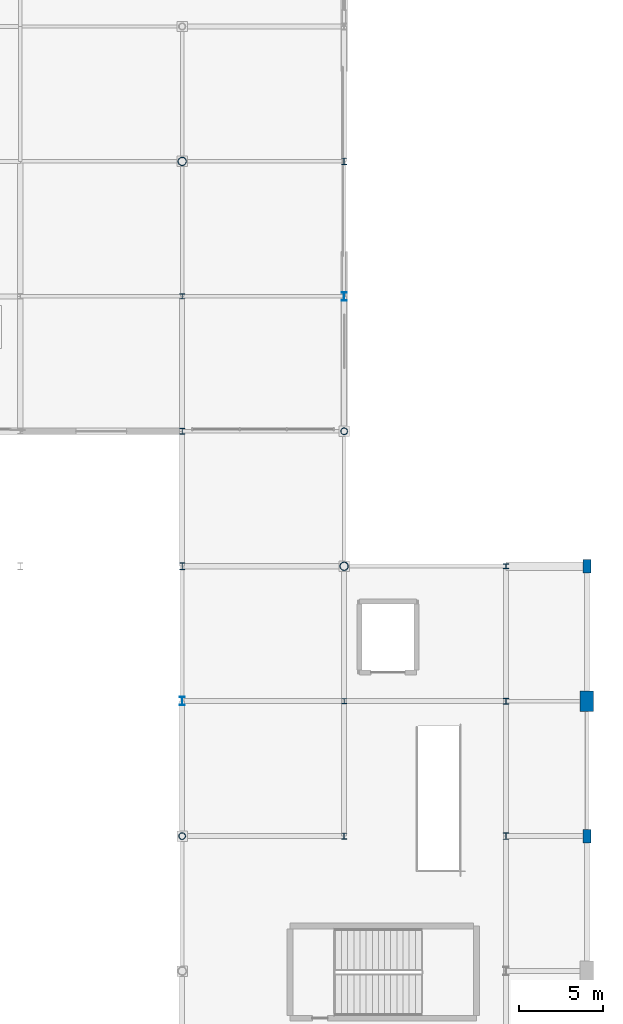
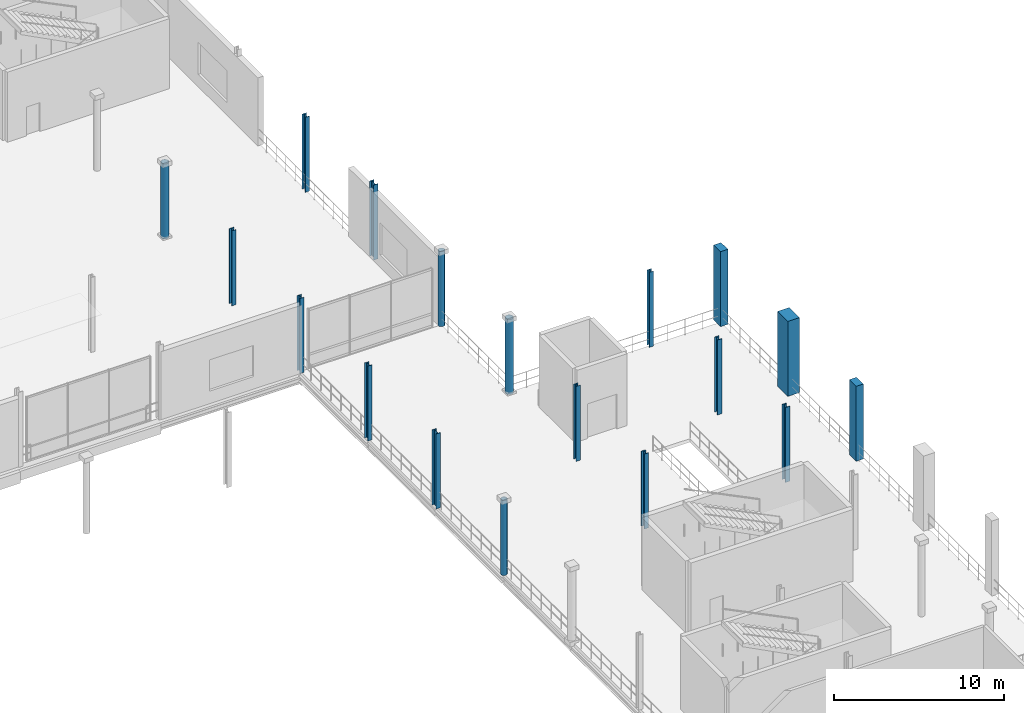
# One storey, part 21 of 129: 18 columns.
"""IFC4 building model written with IfcOpenShell, lengths in metres."""

from ifc_helpers import new_model, si_unit, direction, frame, origin, origin_2d, place, context, subcontext, project, spatial, rectangle, hollow_circle, i_section, extrude, material, material_profile, profile_set, type_object, element, save


model = new_model("IFC4")

# Units and contexts
model_context = context("Model", 3, precision=1e-05, world=origin(), true_north=direction((0.0, 1.0)))
body_context = subcontext(model_context, "Body", "Model", "MODEL_VIEW")
ifc_project = project(units=[si_unit("LENGTHUNIT", "METRE"), si_unit("AREAUNIT", "SQUARE_METRE"), si_unit("VOLUMEUNIT", "CUBIC_METRE"), si_unit("PLANEANGLEUNIT", "RADIAN"), si_unit("MASSUNIT", "GRAM", prefix="KILO")], contexts=[model_context])

# Site, building, storey
site_placement = place(None, origin())
site = spatial("IfcSite", under=ifc_project, at=site_placement, CompositionType="ELEMENT")
building_placement = place(site_placement, origin())
building = spatial("IfcBuilding", under=site, at=building_placement, Name="Danafjord Basin Convention Centre", CompositionType="ELEMENT")
storey_placement = place(building_placement, frame((0.0, 0.0, 6.0)))
storey = spatial("IfcBuildingStorey", under=building, at=storey_placement, Name="L01", CompositionType="ELEMENT", Elevation=6.0)

# Columns
ifc_material_1 = material(Name="Steel S355", Category="steel")
ifc_material_profile_1 = material_profile(ifc_material_1, hollow_circle(Radius=0.203125, WallThickness=0.02001953125, at=origin_2d()), Name="CHS 406.4x20.0")
ifc_profile_set_1 = profile_set([ifc_material_profile_1], Name="Steel S355")
column_type_1 = type_object("IfcColumnType", Name="COL-C-CHS406", PredefinedType="COLUMN", material=ifc_profile_set_1)
for number, where, z_axis, x_axis, name in (
    (1, (192.0, 64.0, 0.0), (0.0, 0.0, 1.0), (1.0, 0.0, 0.0), "L01 column C-CHS406 at (192.0, 64.0)"),
    (2, (201.60009765625, 88.0, 0.0), (0.0, 0.0, 1.0), (1.0, 0.0, 0.0), "L01 column C-CHS406 at (201.6, 88.0)"),
):
    element("IfcColumn", number, at=place(storey_placement, frame(where, z_axis=z_axis, x_axis=x_axis)), inside=storey, type_object=column_type_1, Name=name, PredefinedType="COLUMN", context=body_context, shape_type="SweptSolid", body=[
        extrude(hollow_circle(Radius=0.203125, WallThickness=0.02001953125, at=origin_2d()), origin(), (0.0, 0.0, 1.0), 5.39990234375),
    ])
ifc_material_profile_2 = material_profile(ifc_material_1, hollow_circle(Radius=0.25390625, WallThickness=0.02490234375, at=origin_2d()), Name="CHS 508.0x25.0")
ifc_profile_set_2 = profile_set([ifc_material_profile_2], Name="Steel S355")
column_type_2 = type_object("IfcColumnType", Name="COL-C-CHS508", PredefinedType="COLUMN", material=ifc_profile_set_2)
for number, where, z_axis, x_axis, name in (
    (3, (192.0, 104.0, 0.0), (0.0, 0.0, 1.0), (1.0, 0.0, 0.0), "L01 column C-CHS508 at (192.0, 104.0)"),
    (4, (201.60009765625, 80.0, 0.0), (0.0, 0.0, 1.0), (1.0, 0.0, 0.0), "L01 column C-CHS508 at (201.6, 80.0)"),
):
    element("IfcColumn", number, at=place(storey_placement, frame(where, z_axis=z_axis, x_axis=x_axis)), inside=storey, type_object=column_type_2, Name=name, PredefinedType="COLUMN", context=body_context, shape_type="SweptSolid", body=[
        extrude(hollow_circle(Radius=0.25390625, WallThickness=0.02490234375, at=origin_2d()), origin(), (0.0, 0.0, 1.0), 5.39990234375),
    ])
ifc_material_profile_3 = material_profile(ifc_material_1, i_section(OverallWidth=0.300048828125, OverallDepth=0.300048828125, WebThickness=0.010986328125, FlangeThickness=0.01904296875, FilletRadius=0.027099609375, at=origin_2d()), Name="HEB 300")
ifc_profile_set_3 = profile_set([ifc_material_profile_3], Name="Steel S355")
column_type_3 = type_object("IfcColumnType", Name="COL-C-HEB300", PredefinedType="COLUMN", material=ifc_profile_set_3)
for number, where, z_axis, x_axis, name in (
    (5, (192.0, 96.0, 0.0), (0.0, 0.0, 1.0), (1.0, 0.0, 0.0), "L01 column C-HEB300 at (192.0, 96.0)"),
    (6, (201.60009765625, 72.0, 0.0), (0.0, 0.0, 1.0), (1.0, 0.0, 0.0), "L01 column C-HEB300 at (201.6, 72.0)"),
    (7, (211.199951171875, 80.0, 0.0), (0.0, 0.0, 1.0), (1.0, 0.0, 0.0), "L01 column C-HEB300 at (211.2, 80.0)"),
):
    element("IfcColumn", number, at=place(storey_placement, frame(where, z_axis=z_axis, x_axis=x_axis)), inside=storey, type_object=column_type_3, Name=name, PredefinedType="COLUMN", context=body_context, shape_type="SweptSolid", body=[
        extrude(i_section(OverallWidth=0.300048828125, OverallDepth=0.300048828125, WebThickness=0.010986328125, FlangeThickness=0.01904296875, FilletRadius=0.027099609375, at=origin_2d()), origin(), (0.0, 0.0, 1.0), 5.39990234375),
    ])
ifc_material_profile_4 = material_profile(ifc_material_1, i_section(OverallWidth=0.300048828125, OverallDepth=0.360107421875, WebThickness=0.012451171875, FlangeThickness=0.0224609375, FilletRadius=0.027099609375, at=origin_2d()), Name="HEB 360")
ifc_profile_set_4 = profile_set([ifc_material_profile_4], Name="Steel S355")
column_type_4 = type_object("IfcColumnType", Name="COL-C-HEB360", PredefinedType="COLUMN", material=ifc_profile_set_4)
for number, where, z_axis, x_axis, name in (
    (8, (192.0, 88.0, 0.0), (0.0, 0.0, 1.0), (1.0, 0.0, 0.0), "L01 column C-HEB360 at (192.0, 88.0)"),
    (9, (201.60009765625, 64.0, 0.0), (0.0, 0.0, 1.0), (1.0, 0.0, 0.0), "L01 column C-HEB360 at (201.6, 64.0)"),
    (10, (211.199951171875, 72.0, 0.0), (0.0, 0.0, 1.0), (1.0, 0.0, 0.0), "L01 column C-HEB360 at (211.2, 72.0)"),
):
    element("IfcColumn", number, at=place(storey_placement, frame(where, z_axis=z_axis, x_axis=x_axis)), inside=storey, type_object=column_type_4, Name=name, PredefinedType="COLUMN", context=body_context, shape_type="SweptSolid", body=[
        extrude(i_section(OverallWidth=0.300048828125, OverallDepth=0.360107421875, WebThickness=0.012451171875, FlangeThickness=0.0224609375, FilletRadius=0.027099609375, at=origin_2d()), origin(), (0.0, 0.0, 1.0), 5.39990234375),
    ])
ifc_material_profile_5 = material_profile(ifc_material_1, i_section(OverallWidth=0.300048828125, OverallDepth=0.39990234375, WebThickness=0.013427734375, FlangeThickness=0.02392578125, FilletRadius=0.027099609375, at=origin_2d()), Name="HEB 400")
ifc_profile_set_5 = profile_set([ifc_material_profile_5], Name="Steel S355")
column_type_5 = type_object("IfcColumnType", Name="COL-C-HEB400", PredefinedType="COLUMN", material=ifc_profile_set_5)
for number, where, z_axis, x_axis, name in (
    (11, (192.0, 80.0, 0.0), (0.0, 0.0, 1.0), (1.0, 0.0, 0.0), "L01 column C-HEB400 at (192.0, 80.0)"),
    (12, (201.60009765625, 104.0, 0.0), (0.0, 0.0, 1.0), (1.0, 0.0, 0.0), "L01 column C-HEB400 at (201.6, 104.0)"),
    (13, (211.199951171875, 64.0, 0.0), (0.0, 0.0, 1.0), (1.0, 0.0, 0.0), "L01 column C-HEB400 at (211.2, 64.0)"),
):
    element("IfcColumn", number, at=place(storey_placement, frame(where, z_axis=z_axis, x_axis=x_axis)), inside=storey, type_object=column_type_5, Name=name, PredefinedType="COLUMN", context=body_context, shape_type="SweptSolid", body=[
        extrude(i_section(OverallWidth=0.300048828125, OverallDepth=0.39990234375, WebThickness=0.013427734375, FlangeThickness=0.02392578125, FilletRadius=0.027099609375, at=origin_2d()), origin(), (0.0, 0.0, 1.0), 5.39990234375),
    ])
ifc_material_profile_6 = material_profile(ifc_material_1, i_section(OverallWidth=0.300048828125, OverallDepth=0.5, WebThickness=0.014404296875, FlangeThickness=0.028076171875, FilletRadius=0.027099609375, at=origin_2d()), Name="HEB 500")
ifc_profile_set_6 = profile_set([ifc_material_profile_6], Name="Steel S355")
column_type_6 = type_object("IfcColumnType", Name="COL-C-HEB500", PredefinedType="COLUMN", material=ifc_profile_set_6)
for number, where, z_axis, x_axis, name in (
    (14, (192.0, 72.0, 0.0), (0.0, 0.0, 1.0), (1.0, 0.0, 0.0), "L01 column C-HEB500 at (192.0, 72.0)"),
    (15, (201.60009765625, 96.0, 0.0), (0.0, 0.0, 1.0), (1.0, 0.0, 0.0), "L01 column C-HEB500 at (201.6, 96.0)"),
):
    element("IfcColumn", number, at=place(storey_placement, frame(where, z_axis=z_axis, x_axis=x_axis)), inside=storey, type_object=column_type_6, Name=name, PredefinedType="COLUMN", context=body_context, shape_type="SweptSolid", body=[
        extrude(i_section(OverallWidth=0.300048828125, OverallDepth=0.5, WebThickness=0.014404296875, FlangeThickness=0.028076171875, FilletRadius=0.027099609375, at=origin_2d()), origin(), (0.0, 0.0, 1.0), 5.39990234375),
    ])
ifc_material_2 = material(Name="Precast concrete C45/55", Category="concrete")
ifc_material_profile_7 = material_profile(ifc_material_2, rectangle(XDim=0.800048828125, YDim=1.199951171875, at=origin_2d()), Name="RC 1200x800")
ifc_profile_set_7 = profile_set([ifc_material_profile_7], Name="Precast concrete C45/55")
column_type_7 = type_object("IfcColumnType", Name="COL-C-PIL1200", PredefinedType="PILASTER", material=ifc_profile_set_7)
column_placement = place(storey_placement, frame((216.0, 72.0, 0.0), z_axis=(0.0, 0.0, 1.0), x_axis=(1.0, 0.0, 0.0)))
element("IfcColumn", 16, at=column_placement, inside=storey, type_object=column_type_7, Name="L01 column C-PIL1200 at (216.0, 72.0)", PredefinedType="PILASTER", context=body_context, shape_type="SweptSolid", body=[
    extrude(rectangle(XDim=0.800048828125, YDim=1.199951171875, at=origin_2d()), origin(), (0.0, 0.0, 1.0), 5.39990234375),
])
ifc_material_profile_8 = material_profile(ifc_material_2, rectangle(XDim=0.5, YDim=0.800048828125, at=origin_2d()), Name="PCB 500x800")
ifc_profile_set_8 = profile_set([ifc_material_profile_8], Name="Precast concrete C45/55")
column_type_8 = type_object("IfcColumnType", Name="COL-C-PIL800", PredefinedType="PILASTER", material=ifc_profile_set_8)
for number, where, z_axis, x_axis, name in (
    (17, (216.0, 64.0, 0.0), (0.0, 0.0, 1.0), (1.0, 0.0, 0.0), "L01 column C-PIL800 at (216.0, 64.0)"),
    (18, (216.0, 80.0, 0.0), (0.0, 0.0, 1.0), (1.0, 0.0, 0.0), "L01 column C-PIL800 at (216.0, 80.0)"),
):
    element("IfcColumn", number, at=place(storey_placement, frame(where, z_axis=z_axis, x_axis=x_axis)), inside=storey, type_object=column_type_8, Name=name, PredefinedType="PILASTER", context=body_context, shape_type="SweptSolid", body=[
        extrude(rectangle(XDim=0.5, YDim=0.800048828125, at=origin_2d()), origin(), (0.0, 0.0, 1.0), 5.39990234375),
    ])

save(model, "model.ifc")
